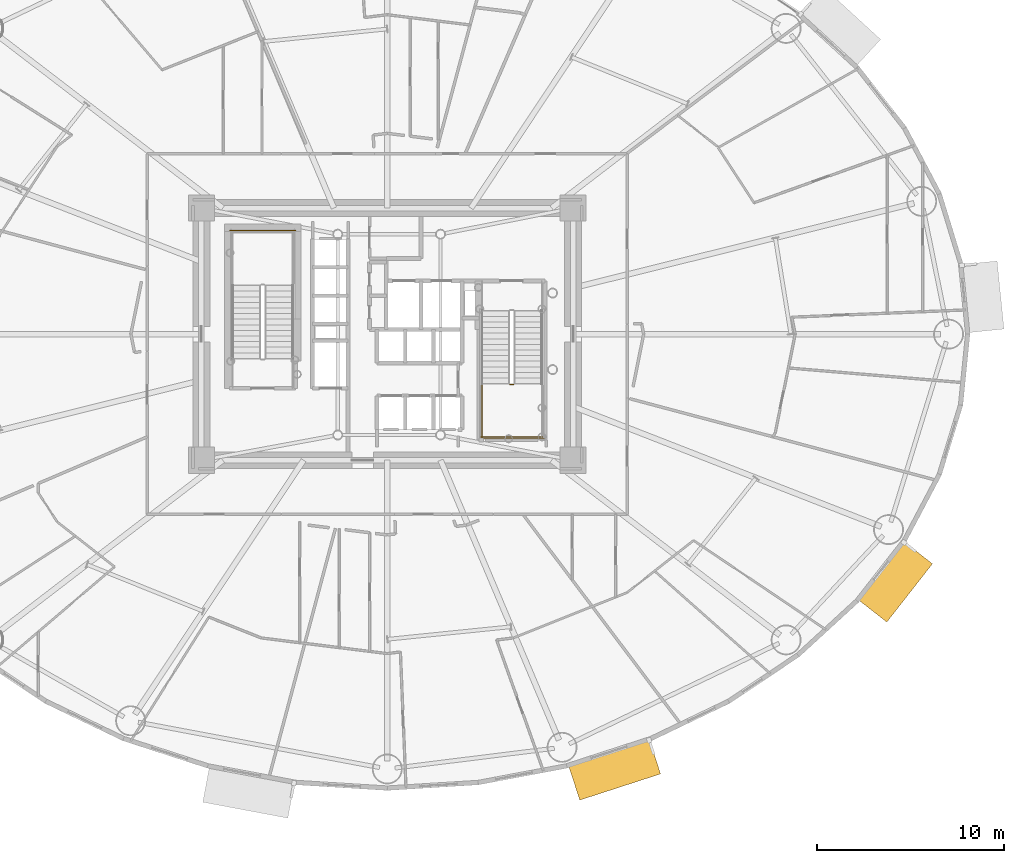
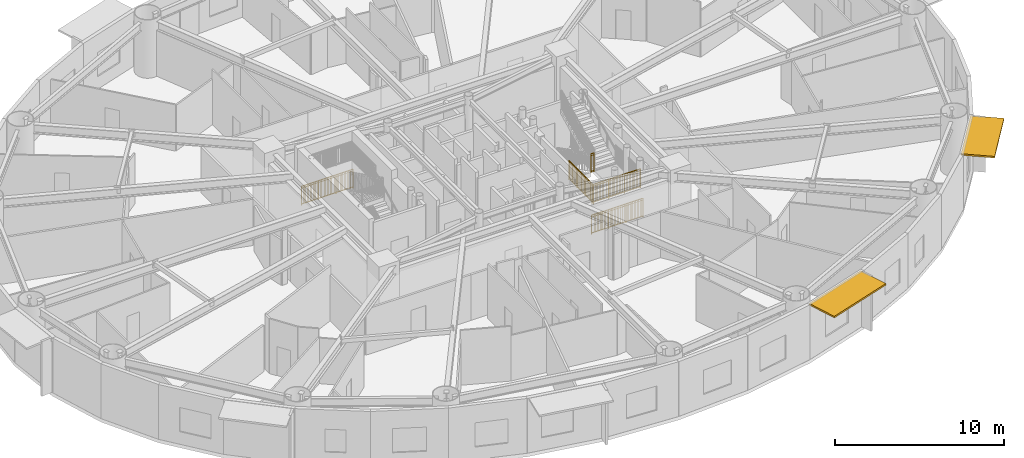
# One storey, part 21 of 24: 5 railings, 2 shading devices.
"""IFC4 building model written with IfcOpenShell, lengths in metres."""

from ifc_helpers import new_model, si_unit, direction, frame, origin, origin_2d, place, context, subcontext, project, spatial, rectangle, extrude, source, transform, mapped, material, layer, layer_set, type_object, element, save


model = new_model("IFC4")

# Units and contexts
model_context = context("Model", 3, precision=1e-05, world=origin(), true_north=direction((0.0, 1.0)))
body_context = subcontext(model_context, "Body", "Model", "MODEL_VIEW")
ifc_project = project(units=[si_unit("LENGTHUNIT", "METRE"), si_unit("AREAUNIT", "SQUARE_METRE"), si_unit("VOLUMEUNIT", "CUBIC_METRE"), si_unit("PLANEANGLEUNIT", "RADIAN"), si_unit("MASSUNIT", "GRAM", prefix="KILO")], contexts=[model_context])

# Site, building, storey
site_placement = place(None, origin())
site = spatial("IfcSite", under=ifc_project, at=site_placement, CompositionType="ELEMENT")
building_placement = place(site_placement, origin())
building = spatial("IfcBuilding", under=site, at=building_placement, Name="Linh Dai School and Residence Tower", CompositionType="ELEMENT")
storey_placement = place(building_placement, frame((0.0, 0.0, 74.39990234375)))
storey = spatial("IfcBuildingStorey", under=building, at=storey_placement, Name="L17", CompositionType="ELEMENT", Elevation=74.39990234375)

# Shading devices
ifc_material_1 = material(Name="Terracotta Ceramic Sunshade", Category="masonry")
ifc_layer = layer(ifc_material_1, 0.1201171875)
ifc_layer_set = layer_set([ifc_layer], Name="Terracotta Ceramic Sunshade")
shading_device_type = type_object("IfcShadingDeviceType", Name="SHD-TC-2000", PredefinedType="USERDEFINED", material=ifc_layer_set)
shared_shape_1 = source(origin(), body_context, "Body", "SweptSolid", [
    extrude(rectangle(XDim=4.54931640625, YDim=2.0, at=origin_2d()), origin(), (0.0, 0.0, 1.0), 0.1201171875),
])
shading_device_1_placement = place(storey_placement, frame((48.160400390625, 3.70458984375, 3.81005859375), z_axis=(0.0, 0.0, 1.0), x_axis=(-0.951220777043, -0.308510993844, 0.0)))
element("IfcShadingDevice", 1, at=shading_device_1_placement, inside=storey, type_object=shading_device_type, Name="L17 Terracotta Horizontal Sunshade Band 33", ObjectType="SUNSHADE", PredefinedType="USERDEFINED", context=body_context, shape_type="MappedRepresentation", body=[
    mapped(shared_shape_1, transform((0.0, 0.0, 0.0), x_axis=(1.0, 0.0, 0.0), y_axis=(0.0, 1.0, 0.0), z_axis=(0.0, 0.0, 1.0), scale=1.0)),
])
shared_shape_2 = source(origin(), body_context, "Body", "SweptSolid", [
    extrude(rectangle(XDim=3.964111328125, YDim=2.0, at=origin_2d()), origin(), (0.0, 0.0, 1.0), 0.1201171875),
])
shading_device_2_placement = place(storey_placement, frame((63.17822265625, 13.759521484375, 3.81005859375), z_axis=(0.0, 0.0, 1.0), x_axis=(-0.616319427785, -0.787496262172, 0.0)))
element("IfcShadingDevice", 2, at=shading_device_2_placement, inside=storey, type_object=shading_device_type, Name="L17 Terracotta Horizontal Sunshade Band 37", ObjectType="SUNSHADE", PredefinedType="USERDEFINED", context=body_context, shape_type="MappedRepresentation", body=[
    mapped(shared_shape_2, transform((0.0, 0.0, 0.0), x_axis=(1.0, 0.0, 0.0), y_axis=(0.0, 1.0, 0.0), z_axis=(0.0, 0.0, 1.0), scale=1.0)),
])

# Railings
ifc_material_2 = material(Name="Structural Steel S355JR", Category="steel")
railing_type = type_object("IfcRailingType", Name="RL-ST-GUARD-1400", PredefinedType="GUARDRAIL", material=ifc_material_2)
shared_shape_3 = source(origin(), body_context, "Body", "SweptSolid", [
    extrude(rectangle(XDim=0.048095703125, YDim=0.048095703125, at=origin_2d()), frame((0.0, 0.0, 1.3759765625), z_axis=(-1.0, 0.0, 0.0), x_axis=(0.0, -1.0, 0.0)), (0.0, 0.0, 1.0), 3.5),
    extrude(rectangle(XDim=0.048095703125, YDim=0.048095703125, at=origin_2d()), frame((0.0, 0.0, 0.10009765625), z_axis=(-1.0, 0.0, 0.0), x_axis=(0.0, -1.0, 0.0)), (0.0, 0.0, 1.0), 3.5),
    extrude(rectangle(XDim=0.030029296875, YDim=0.030029296875, at=origin_2d()), frame((0.0, 0.0, 1.239990234375), z_axis=(-1.0, 0.0, 0.0), x_axis=(0.0, -1.0, 0.0)), (0.0, 0.0, 1.0), 3.5),
    extrude(rectangle(XDim=0.02001953125, YDim=0.02001953125, at=origin_2d()), frame((-0.09716796875, 0.0, 0.10009765625)), (0.0, 0.0, 1.0), 1.251708984375),
    extrude(rectangle(XDim=0.02001953125, YDim=0.02001953125, at=origin_2d()), frame((-0.1943359375, 0.0, 0.10009765625)), (0.0, 0.0, 1.0), 1.251708984375),
    extrude(rectangle(XDim=0.02001953125, YDim=0.02001953125, at=origin_2d()), frame((-0.291748046875, 0.0, 0.10009765625)), (0.0, 0.0, 1.0), 1.251708984375),
    extrude(rectangle(XDim=0.02001953125, YDim=0.02001953125, at=origin_2d()), frame((-0.388916015625, 0.0, 0.10009765625)), (0.0, 0.0, 1.0), 1.251708984375),
    extrude(rectangle(XDim=0.02001953125, YDim=0.02001953125, at=origin_2d()), frame((-0.486083984375, 0.0, 0.10009765625)), (0.0, 0.0, 1.0), 1.251708984375),
    extrude(rectangle(XDim=0.02001953125, YDim=0.02001953125, at=origin_2d()), frame((-0.583251953125, 0.0, 0.10009765625)), (0.0, 0.0, 1.0), 1.251708984375),
    extrude(rectangle(XDim=0.02001953125, YDim=0.02001953125, at=origin_2d()), frame((-0.6806640625, 0.0, 0.10009765625)), (0.0, 0.0, 1.0), 1.251708984375),
    extrude(rectangle(XDim=0.02001953125, YDim=0.02001953125, at=origin_2d()), frame((-0.77783203125, 0.0, 0.10009765625)), (0.0, 0.0, 1.0), 1.251708984375),
    extrude(rectangle(XDim=0.02001953125, YDim=0.02001953125, at=origin_2d()), frame((-0.875, 0.0, 0.10009765625)), (0.0, 0.0, 1.0), 1.251708984375),
    extrude(rectangle(XDim=0.02001953125, YDim=0.02001953125, at=origin_2d()), frame((-0.97216796875, 0.0, 0.10009765625)), (0.0, 0.0, 1.0), 1.251708984375),
    extrude(rectangle(XDim=0.02001953125, YDim=0.02001953125, at=origin_2d()), frame((-1.0693359375, 0.0, 0.10009765625)), (0.0, 0.0, 1.0), 1.251708984375),
    extrude(rectangle(XDim=0.02001953125, YDim=0.02001953125, at=origin_2d()), frame((-1.263916015625, 0.0, 0.10009765625)), (0.0, 0.0, 1.0), 1.251708984375),
    extrude(rectangle(XDim=0.02001953125, YDim=0.02001953125, at=origin_2d()), frame((-1.361083984375, 0.0, 0.10009765625)), (0.0, 0.0, 1.0), 1.251708984375),
    extrude(rectangle(XDim=0.02001953125, YDim=0.02001953125, at=origin_2d()), frame((-1.458251953125, 0.0, 0.10009765625)), (0.0, 0.0, 1.0), 1.251708984375),
    extrude(rectangle(XDim=0.02001953125, YDim=0.02001953125, at=origin_2d()), frame((-1.5556640625, 0.0, 0.10009765625)), (0.0, 0.0, 1.0), 1.251708984375),
    extrude(rectangle(XDim=0.02001953125, YDim=0.02001953125, at=origin_2d()), frame((-1.65283203125, 0.0, 0.10009765625)), (0.0, 0.0, 1.0), 1.251708984375),
    extrude(rectangle(XDim=0.02001953125, YDim=0.02001953125, at=origin_2d()), frame((-1.75, 0.0, 0.10009765625)), (0.0, 0.0, 1.0), 1.251708984375),
    extrude(rectangle(XDim=0.02001953125, YDim=0.02001953125, at=origin_2d()), frame((-1.84716796875, 0.0, 0.10009765625)), (0.0, 0.0, 1.0), 1.251708984375),
    extrude(rectangle(XDim=0.02001953125, YDim=0.02001953125, at=origin_2d()), frame((-1.9443359375, 0.0, 0.10009765625)), (0.0, 0.0, 1.0), 1.251708984375),
    extrude(rectangle(XDim=0.02001953125, YDim=0.02001953125, at=origin_2d()), frame((-2.041748046875, 0.0, 0.10009765625)), (0.0, 0.0, 1.0), 1.251708984375),
    extrude(rectangle(XDim=0.02001953125, YDim=0.02001953125, at=origin_2d()), frame((-2.138916015625, 0.0, 0.10009765625)), (0.0, 0.0, 1.0), 1.251708984375),
    extrude(rectangle(XDim=0.02001953125, YDim=0.02001953125, at=origin_2d()), frame((-2.236083984375, 0.0, 0.10009765625)), (0.0, 0.0, 1.0), 1.251708984375),
    extrude(rectangle(XDim=0.02001953125, YDim=0.02001953125, at=origin_2d()), frame((-2.4306640625, 0.0, 0.10009765625)), (0.0, 0.0, 1.0), 1.251708984375),
    extrude(rectangle(XDim=0.02001953125, YDim=0.02001953125, at=origin_2d()), frame((-2.52783203125, 0.0, 0.10009765625)), (0.0, 0.0, 1.0), 1.251708984375),
    extrude(rectangle(XDim=0.02001953125, YDim=0.02001953125, at=origin_2d()), frame((-2.625, 0.0, 0.10009765625)), (0.0, 0.0, 1.0), 1.251708984375),
    extrude(rectangle(XDim=0.02001953125, YDim=0.02001953125, at=origin_2d()), frame((-2.72216796875, 0.0, 0.10009765625)), (0.0, 0.0, 1.0), 1.251708984375),
    extrude(rectangle(XDim=0.02001953125, YDim=0.02001953125, at=origin_2d()), frame((-2.8193359375, 0.0, 0.10009765625)), (0.0, 0.0, 1.0), 1.251708984375),
    extrude(rectangle(XDim=0.02001953125, YDim=0.02001953125, at=origin_2d()), frame((-2.916748046875, 0.0, 0.10009765625)), (0.0, 0.0, 1.0), 1.251708984375),
    extrude(rectangle(XDim=0.02001953125, YDim=0.02001953125, at=origin_2d()), frame((-3.013916015625, 0.0, 0.10009765625)), (0.0, 0.0, 1.0), 1.251708984375),
    extrude(rectangle(XDim=0.02001953125, YDim=0.02001953125, at=origin_2d()), frame((-3.111083984375, 0.0, 0.10009765625)), (0.0, 0.0, 1.0), 1.251708984375),
    extrude(rectangle(XDim=0.02001953125, YDim=0.02001953125, at=origin_2d()), frame((-3.208251953125, 0.0, 0.10009765625)), (0.0, 0.0, 1.0), 1.251708984375),
    extrude(rectangle(XDim=0.02001953125, YDim=0.02001953125, at=origin_2d()), frame((-3.3056640625, 0.0, 0.10009765625)), (0.0, 0.0, 1.0), 1.251708984375),
    extrude(rectangle(XDim=0.02001953125, YDim=0.02001953125, at=origin_2d()), frame((-3.40283203125, 0.0, 0.10009765625)), (0.0, 0.0, 1.0), 1.251708984375),
    extrude(rectangle(XDim=0.0419921875, YDim=0.0419921875, at=origin_2d()), origin(), (0.0, 0.0, 1.0), 1.3759765625),
    extrude(rectangle(XDim=0.0419921875, YDim=0.0419921875, at=origin_2d()), frame((-1.166748046875, 0.0, 0.0)), (0.0, 0.0, 1.0), 1.3759765625),
    extrude(rectangle(XDim=0.0419921875, YDim=0.0419921875, at=origin_2d()), frame((-2.333251953125, 0.0, 0.0)), (0.0, 0.0, 1.0), 1.3759765625),
    extrude(rectangle(XDim=0.0419921875, YDim=0.0419921875, at=origin_2d()), frame((-3.5, 0.0, 0.0)), (0.0, 0.0, 1.0), 1.3759765625),
])
railing_1_placement = place(storey_placement, frame((31.080078125, 32.550048828125, 0.0)))
element("IfcRailing", 3, at=railing_1_placement, inside=storey, type_object=railing_type, Name="L17 ST1 stair guard 12", PredefinedType="GUARDRAIL", context=body_context, shape_type="MappedRepresentation", body=[
    mapped(shared_shape_3, transform((0.0, 0.0, 0.0), x_axis=(1.0, 0.0, 0.0), y_axis=(0.0, 1.0, 0.0), z_axis=(0.0, 0.0, 1.0), scale=1.0)),
])
shared_shape_4 = source(origin(), body_context, "Body", "SweptSolid", [
    extrude(rectangle(XDim=0.048095703125, YDim=0.048095703125, at=origin_2d()), frame((0.0, 0.0, 1.3759765625), z_axis=(1.0, 0.0, 0.0), x_axis=(0.0, 1.0, 0.0)), (0.0, 0.0, 1.0), 0.199951171875),
    extrude(rectangle(XDim=0.048095703125, YDim=0.048095703125, at=origin_2d()), frame((0.0, 0.0, 0.10009765625), z_axis=(1.0, 0.0, 0.0), x_axis=(0.0, 1.0, 0.0)), (0.0, 0.0, 1.0), 0.199951171875),
    extrude(rectangle(XDim=0.030029296875, YDim=0.030029296875, at=origin_2d()), frame((0.0, 0.0, 1.239990234375), z_axis=(1.0, 0.0, 0.0), x_axis=(0.0, 1.0, 0.0)), (0.0, 0.0, 1.0), 0.199951171875),
    extrude(rectangle(XDim=0.0419921875, YDim=0.0419921875, at=origin_2d()), origin(), (0.0, 0.0, 1.0), 1.3759765625),
    extrude(rectangle(XDim=0.0419921875, YDim=0.0419921875, at=origin_2d()), frame((0.199951171875, 0.0, 0.0)), (0.0, 0.0, 1.0), 1.3759765625),
])
railing_2_placement = place(storey_placement, frame((42.570068359375, 24.300048828125, 2.10009765625)))
element("IfcRailing", 4, at=railing_2_placement, inside=storey, type_object=railing_type, Name="L17 ST2 stair guard 2", PredefinedType="GUARDRAIL", context=body_context, shape_type="MappedRepresentation", body=[
    mapped(shared_shape_4, transform((0.0, 0.0, 0.0), x_axis=(1.0, 0.0, 0.0), y_axis=(0.0, 1.0, 0.0), z_axis=(0.0, 0.0, 1.0), scale=1.0)),
])
shared_shape_5 = source(origin(), body_context, "Body", "SweptSolid", [
    extrude(rectangle(XDim=0.048095703125, YDim=0.048095703125, at=origin_2d()), frame((0.0, 0.0, 1.3759765625), z_axis=(1.0, 0.0, 0.0), x_axis=(0.0, 1.0, 0.0)), (0.0, 0.0, 1.0), 3.300048828125),
    extrude(rectangle(XDim=0.048095703125, YDim=0.048095703125, at=origin_2d()), frame((0.0, 0.0, 0.10009765625), z_axis=(1.0, 0.0, 0.0), x_axis=(0.0, 1.0, 0.0)), (0.0, 0.0, 1.0), 3.300048828125),
    extrude(rectangle(XDim=0.030029296875, YDim=0.030029296875, at=origin_2d()), frame((0.0, 0.0, 1.239990234375), z_axis=(1.0, 0.0, 0.0), x_axis=(0.0, 1.0, 0.0)), (0.0, 0.0, 1.0), 3.300048828125),
    extrude(rectangle(XDim=0.02001953125, YDim=0.02001953125, at=origin_2d()), frame((0.09716796875, 0.0, 0.10009765625)), (0.0, 0.0, 1.0), 1.251708984375),
    extrude(rectangle(XDim=0.02001953125, YDim=0.02001953125, at=origin_2d()), frame((0.194091796875, 0.0, 0.10009765625)), (0.0, 0.0, 1.0), 1.251708984375),
    extrude(rectangle(XDim=0.02001953125, YDim=0.02001953125, at=origin_2d()), frame((0.291259765625, 0.0, 0.10009765625)), (0.0, 0.0, 1.0), 1.251708984375),
    extrude(rectangle(XDim=0.02001953125, YDim=0.02001953125, at=origin_2d()), frame((0.38818359375, 0.0, 0.10009765625)), (0.0, 0.0, 1.0), 1.251708984375),
    extrude(rectangle(XDim=0.02001953125, YDim=0.02001953125, at=origin_2d()), frame((0.4853515625, 0.0, 0.10009765625)), (0.0, 0.0, 1.0), 1.251708984375),
    extrude(rectangle(XDim=0.02001953125, YDim=0.02001953125, at=origin_2d()), frame((0.582275390625, 0.0, 0.10009765625)), (0.0, 0.0, 1.0), 1.251708984375),
    extrude(rectangle(XDim=0.02001953125, YDim=0.02001953125, at=origin_2d()), frame((0.679443359375, 0.0, 0.10009765625)), (0.0, 0.0, 1.0), 1.251708984375),
    extrude(rectangle(XDim=0.02001953125, YDim=0.02001953125, at=origin_2d()), frame((0.7763671875, 0.0, 0.10009765625)), (0.0, 0.0, 1.0), 1.251708984375),
    extrude(rectangle(XDim=0.02001953125, YDim=0.02001953125, at=origin_2d()), frame((0.87353515625, 0.0, 0.10009765625)), (0.0, 0.0, 1.0), 1.251708984375),
    extrude(rectangle(XDim=0.02001953125, YDim=0.02001953125, at=origin_2d()), frame((0.970703125, 0.0, 0.10009765625)), (0.0, 0.0, 1.0), 1.251708984375),
    extrude(rectangle(XDim=0.02001953125, YDim=0.02001953125, at=origin_2d()), frame((1.164794921875, 0.0, 0.10009765625)), (0.0, 0.0, 1.0), 1.251708984375),
    extrude(rectangle(XDim=0.02001953125, YDim=0.02001953125, at=origin_2d()), frame((1.26171875, 0.0, 0.10009765625)), (0.0, 0.0, 1.0), 1.251708984375),
    extrude(rectangle(XDim=0.02001953125, YDim=0.02001953125, at=origin_2d()), frame((1.35888671875, 0.0, 0.10009765625)), (0.0, 0.0, 1.0), 1.251708984375),
    extrude(rectangle(XDim=0.02001953125, YDim=0.02001953125, at=origin_2d()), frame((1.455810546875, 0.0, 0.10009765625)), (0.0, 0.0, 1.0), 1.251708984375),
    extrude(rectangle(XDim=0.02001953125, YDim=0.02001953125, at=origin_2d()), frame((1.552978515625, 0.0, 0.10009765625)), (0.0, 0.0, 1.0), 1.251708984375),
    extrude(rectangle(XDim=0.02001953125, YDim=0.02001953125, at=origin_2d()), frame((1.64990234375, 0.0, 0.10009765625)), (0.0, 0.0, 1.0), 1.251708984375),
    extrude(rectangle(XDim=0.02001953125, YDim=0.02001953125, at=origin_2d()), frame((1.7470703125, 0.0, 0.10009765625)), (0.0, 0.0, 1.0), 1.251708984375),
    extrude(rectangle(XDim=0.02001953125, YDim=0.02001953125, at=origin_2d()), frame((1.84423828125, 0.0, 0.10009765625)), (0.0, 0.0, 1.0), 1.251708984375),
    extrude(rectangle(XDim=0.02001953125, YDim=0.02001953125, at=origin_2d()), frame((1.941162109375, 0.0, 0.10009765625)), (0.0, 0.0, 1.0), 1.251708984375),
    extrude(rectangle(XDim=0.02001953125, YDim=0.02001953125, at=origin_2d()), frame((2.038330078125, 0.0, 0.10009765625)), (0.0, 0.0, 1.0), 1.251708984375),
    extrude(rectangle(XDim=0.02001953125, YDim=0.02001953125, at=origin_2d()), frame((2.13525390625, 0.0, 0.10009765625)), (0.0, 0.0, 1.0), 1.251708984375),
    extrude(rectangle(XDim=0.02001953125, YDim=0.02001953125, at=origin_2d()), frame((2.329345703125, 0.0, 0.10009765625)), (0.0, 0.0, 1.0), 1.251708984375),
    extrude(rectangle(XDim=0.02001953125, YDim=0.02001953125, at=origin_2d()), frame((2.426513671875, 0.0, 0.10009765625)), (0.0, 0.0, 1.0), 1.251708984375),
    extrude(rectangle(XDim=0.02001953125, YDim=0.02001953125, at=origin_2d()), frame((2.523681640625, 0.0, 0.10009765625)), (0.0, 0.0, 1.0), 1.251708984375),
    extrude(rectangle(XDim=0.02001953125, YDim=0.02001953125, at=origin_2d()), frame((2.62060546875, 0.0, 0.10009765625)), (0.0, 0.0, 1.0), 1.251708984375),
    extrude(rectangle(XDim=0.02001953125, YDim=0.02001953125, at=origin_2d()), frame((2.7177734375, 0.0, 0.10009765625)), (0.0, 0.0, 1.0), 1.251708984375),
    extrude(rectangle(XDim=0.02001953125, YDim=0.02001953125, at=origin_2d()), frame((2.814697265625, 0.0, 0.10009765625)), (0.0, 0.0, 1.0), 1.251708984375),
    extrude(rectangle(XDim=0.02001953125, YDim=0.02001953125, at=origin_2d()), frame((2.911865234375, 0.0, 0.10009765625)), (0.0, 0.0, 1.0), 1.251708984375),
    extrude(rectangle(XDim=0.02001953125, YDim=0.02001953125, at=origin_2d()), frame((3.0087890625, 0.0, 0.10009765625)), (0.0, 0.0, 1.0), 1.251708984375),
    extrude(rectangle(XDim=0.02001953125, YDim=0.02001953125, at=origin_2d()), frame((3.10595703125, 0.0, 0.10009765625)), (0.0, 0.0, 1.0), 1.251708984375),
    extrude(rectangle(XDim=0.02001953125, YDim=0.02001953125, at=origin_2d()), frame((3.202880859375, 0.0, 0.10009765625)), (0.0, 0.0, 1.0), 1.251708984375),
    extrude(rectangle(XDim=0.0419921875, YDim=0.0419921875, at=origin_2d()), origin(), (0.0, 0.0, 1.0), 1.3759765625),
    extrude(rectangle(XDim=0.0419921875, YDim=0.0419921875, at=origin_2d()), frame((1.10009765625, 0.0, 0.0)), (0.0, 0.0, 1.0), 1.3759765625),
    extrude(rectangle(XDim=0.0419921875, YDim=0.0419921875, at=origin_2d()), frame((2.199951171875, 0.0, 0.0)), (0.0, 0.0, 1.0), 1.3759765625),
    extrude(rectangle(XDim=0.0419921875, YDim=0.0419921875, at=origin_2d()), frame((3.300048828125, 0.0, 0.0)), (0.0, 0.0, 1.0), 1.3759765625),
])
railing_3_placement = place(storey_placement, frame((41.02001953125, 21.5, 2.10009765625)))
element("IfcRailing", 5, at=railing_3_placement, inside=storey, type_object=railing_type, Name="L17 ST2 stair guard 5", PredefinedType="GUARDRAIL", context=body_context, shape_type="MappedRepresentation", body=[
    mapped(shared_shape_5, transform((0.0, 0.0, 0.0), x_axis=(1.0, 0.0, 0.0), y_axis=(0.0, 1.0, 0.0), z_axis=(0.0, 0.0, 1.0), scale=1.0)),
])
shared_shape_6 = source(origin(), body_context, "Body", "SweptSolid", [
    extrude(rectangle(XDim=0.048095703125, YDim=0.048095703125, at=origin_2d()), frame((0.0, 0.0, 1.3759765625), z_axis=(1.0, 0.0, 0.0), x_axis=(0.0, 1.0, 0.0)), (0.0, 0.0, 1.0), 3.5),
    extrude(rectangle(XDim=0.048095703125, YDim=0.048095703125, at=origin_2d()), frame((0.0, 0.0, 0.10009765625), z_axis=(1.0, 0.0, 0.0), x_axis=(0.0, 1.0, 0.0)), (0.0, 0.0, 1.0), 3.5),
    extrude(rectangle(XDim=0.030029296875, YDim=0.030029296875, at=origin_2d()), frame((0.0, 0.0, 1.239990234375), z_axis=(1.0, 0.0, 0.0), x_axis=(0.0, 1.0, 0.0)), (0.0, 0.0, 1.0), 3.5),
    extrude(rectangle(XDim=0.02001953125, YDim=0.02001953125, at=origin_2d()), frame((0.09716796875, 0.0, 0.10009765625)), (0.0, 0.0, 1.0), 1.251708984375),
    extrude(rectangle(XDim=0.02001953125, YDim=0.02001953125, at=origin_2d()), frame((0.1943359375, 0.0, 0.10009765625)), (0.0, 0.0, 1.0), 1.251708984375),
    extrude(rectangle(XDim=0.02001953125, YDim=0.02001953125, at=origin_2d()), frame((0.291748046875, 0.0, 0.10009765625)), (0.0, 0.0, 1.0), 1.251708984375),
    extrude(rectangle(XDim=0.02001953125, YDim=0.02001953125, at=origin_2d()), frame((0.388916015625, 0.0, 0.10009765625)), (0.0, 0.0, 1.0), 1.251708984375),
    extrude(rectangle(XDim=0.02001953125, YDim=0.02001953125, at=origin_2d()), frame((0.486083984375, 0.0, 0.10009765625)), (0.0, 0.0, 1.0), 1.251708984375),
    extrude(rectangle(XDim=0.02001953125, YDim=0.02001953125, at=origin_2d()), frame((0.583251953125, 0.0, 0.10009765625)), (0.0, 0.0, 1.0), 1.251708984375),
    extrude(rectangle(XDim=0.02001953125, YDim=0.02001953125, at=origin_2d()), frame((0.6806640625, 0.0, 0.10009765625)), (0.0, 0.0, 1.0), 1.251708984375),
    extrude(rectangle(XDim=0.02001953125, YDim=0.02001953125, at=origin_2d()), frame((0.77783203125, 0.0, 0.10009765625)), (0.0, 0.0, 1.0), 1.251708984375),
    extrude(rectangle(XDim=0.02001953125, YDim=0.02001953125, at=origin_2d()), frame((0.875, 0.0, 0.10009765625)), (0.0, 0.0, 1.0), 1.251708984375),
    extrude(rectangle(XDim=0.02001953125, YDim=0.02001953125, at=origin_2d()), frame((0.97216796875, 0.0, 0.10009765625)), (0.0, 0.0, 1.0), 1.251708984375),
    extrude(rectangle(XDim=0.02001953125, YDim=0.02001953125, at=origin_2d()), frame((1.0693359375, 0.0, 0.10009765625)), (0.0, 0.0, 1.0), 1.251708984375),
    extrude(rectangle(XDim=0.02001953125, YDim=0.02001953125, at=origin_2d()), frame((1.263916015625, 0.0, 0.10009765625)), (0.0, 0.0, 1.0), 1.251708984375),
    extrude(rectangle(XDim=0.02001953125, YDim=0.02001953125, at=origin_2d()), frame((1.361083984375, 0.0, 0.10009765625)), (0.0, 0.0, 1.0), 1.251708984375),
    extrude(rectangle(XDim=0.02001953125, YDim=0.02001953125, at=origin_2d()), frame((1.458251953125, 0.0, 0.10009765625)), (0.0, 0.0, 1.0), 1.251708984375),
    extrude(rectangle(XDim=0.02001953125, YDim=0.02001953125, at=origin_2d()), frame((1.5556640625, 0.0, 0.10009765625)), (0.0, 0.0, 1.0), 1.251708984375),
    extrude(rectangle(XDim=0.02001953125, YDim=0.02001953125, at=origin_2d()), frame((1.65283203125, 0.0, 0.10009765625)), (0.0, 0.0, 1.0), 1.251708984375),
    extrude(rectangle(XDim=0.02001953125, YDim=0.02001953125, at=origin_2d()), frame((1.75, 0.0, 0.10009765625)), (0.0, 0.0, 1.0), 1.251708984375),
    extrude(rectangle(XDim=0.02001953125, YDim=0.02001953125, at=origin_2d()), frame((1.84716796875, 0.0, 0.10009765625)), (0.0, 0.0, 1.0), 1.251708984375),
    extrude(rectangle(XDim=0.02001953125, YDim=0.02001953125, at=origin_2d()), frame((1.9443359375, 0.0, 0.10009765625)), (0.0, 0.0, 1.0), 1.251708984375),
    extrude(rectangle(XDim=0.02001953125, YDim=0.02001953125, at=origin_2d()), frame((2.041748046875, 0.0, 0.10009765625)), (0.0, 0.0, 1.0), 1.251708984375),
    extrude(rectangle(XDim=0.02001953125, YDim=0.02001953125, at=origin_2d()), frame((2.138916015625, 0.0, 0.10009765625)), (0.0, 0.0, 1.0), 1.251708984375),
    extrude(rectangle(XDim=0.02001953125, YDim=0.02001953125, at=origin_2d()), frame((2.236083984375, 0.0, 0.10009765625)), (0.0, 0.0, 1.0), 1.251708984375),
    extrude(rectangle(XDim=0.02001953125, YDim=0.02001953125, at=origin_2d()), frame((2.4306640625, 0.0, 0.10009765625)), (0.0, 0.0, 1.0), 1.251708984375),
    extrude(rectangle(XDim=0.02001953125, YDim=0.02001953125, at=origin_2d()), frame((2.52783203125, 0.0, 0.10009765625)), (0.0, 0.0, 1.0), 1.251708984375),
    extrude(rectangle(XDim=0.02001953125, YDim=0.02001953125, at=origin_2d()), frame((2.625, 0.0, 0.10009765625)), (0.0, 0.0, 1.0), 1.251708984375),
    extrude(rectangle(XDim=0.02001953125, YDim=0.02001953125, at=origin_2d()), frame((2.72216796875, 0.0, 0.10009765625)), (0.0, 0.0, 1.0), 1.251708984375),
    extrude(rectangle(XDim=0.02001953125, YDim=0.02001953125, at=origin_2d()), frame((2.8193359375, 0.0, 0.10009765625)), (0.0, 0.0, 1.0), 1.251708984375),
    extrude(rectangle(XDim=0.02001953125, YDim=0.02001953125, at=origin_2d()), frame((2.916748046875, 0.0, 0.10009765625)), (0.0, 0.0, 1.0), 1.251708984375),
    extrude(rectangle(XDim=0.02001953125, YDim=0.02001953125, at=origin_2d()), frame((3.013916015625, 0.0, 0.10009765625)), (0.0, 0.0, 1.0), 1.251708984375),
    extrude(rectangle(XDim=0.02001953125, YDim=0.02001953125, at=origin_2d()), frame((3.111083984375, 0.0, 0.10009765625)), (0.0, 0.0, 1.0), 1.251708984375),
    extrude(rectangle(XDim=0.02001953125, YDim=0.02001953125, at=origin_2d()), frame((3.208251953125, 0.0, 0.10009765625)), (0.0, 0.0, 1.0), 1.251708984375),
    extrude(rectangle(XDim=0.02001953125, YDim=0.02001953125, at=origin_2d()), frame((3.3056640625, 0.0, 0.10009765625)), (0.0, 0.0, 1.0), 1.251708984375),
    extrude(rectangle(XDim=0.02001953125, YDim=0.02001953125, at=origin_2d()), frame((3.40283203125, 0.0, 0.10009765625)), (0.0, 0.0, 1.0), 1.251708984375),
    extrude(rectangle(XDim=0.0419921875, YDim=0.0419921875, at=origin_2d()), origin(), (0.0, 0.0, 1.0), 1.3759765625),
    extrude(rectangle(XDim=0.0419921875, YDim=0.0419921875, at=origin_2d()), frame((1.166748046875, 0.0, 0.0)), (0.0, 0.0, 1.0), 1.3759765625),
    extrude(rectangle(XDim=0.0419921875, YDim=0.0419921875, at=origin_2d()), frame((2.333251953125, 0.0, 0.0)), (0.0, 0.0, 1.0), 1.3759765625),
    extrude(rectangle(XDim=0.0419921875, YDim=0.0419921875, at=origin_2d()), frame((3.5, 0.0, 0.0)), (0.0, 0.0, 1.0), 1.3759765625),
])
railing_4_placement = place(storey_placement, frame((40.919921875, 21.39990234375, 0.0)))
element("IfcRailing", 6, at=railing_4_placement, inside=storey, type_object=railing_type, Name="L17 ST2 stair guard 12", PredefinedType="GUARDRAIL", context=body_context, shape_type="MappedRepresentation", body=[
    mapped(shared_shape_6, transform((0.0, 0.0, 0.0), x_axis=(1.0, 0.0, 0.0), y_axis=(0.0, 1.0, 0.0), z_axis=(0.0, 0.0, 1.0), scale=1.0)),
])
shared_shape_7 = source(origin(), body_context, "Body", "SweptSolid", [
    extrude(rectangle(XDim=0.048095703125, YDim=0.048095703125, at=origin_2d()), frame((0.0, 0.0, 1.3759765625), z_axis=(0.0, -1.0, 0.0), x_axis=(1.0, 0.0, 0.0)), (0.0, 0.0, 1.0), 2.900146484375),
    extrude(rectangle(XDim=0.048095703125, YDim=0.048095703125, at=origin_2d()), frame((0.0, 0.0, 0.10009765625), z_axis=(0.0, -1.0, 0.0), x_axis=(1.0, 0.0, 0.0)), (0.0, 0.0, 1.0), 2.900146484375),
    extrude(rectangle(XDim=0.030029296875, YDim=0.030029296875, at=origin_2d()), frame((0.0, 0.0, 1.239990234375), z_axis=(0.0, -1.0, 0.0), x_axis=(1.0, 0.0, 0.0)), (0.0, 0.0, 1.0), 2.900146484375),
    extrude(rectangle(XDim=0.02001953125, YDim=0.02001953125, at=origin_2d()), frame((0.0, -0.0966796875, 0.10009765625)), (0.0, 0.0, 1.0), 1.251708984375),
    extrude(rectangle(XDim=0.02001953125, YDim=0.02001953125, at=origin_2d()), frame((0.0, -0.193359375, 0.10009765625)), (0.0, 0.0, 1.0), 1.251708984375),
    extrude(rectangle(XDim=0.02001953125, YDim=0.02001953125, at=origin_2d()), frame((0.0, -0.2900390625, 0.10009765625)), (0.0, 0.0, 1.0), 1.251708984375),
    extrude(rectangle(XDim=0.02001953125, YDim=0.02001953125, at=origin_2d()), frame((0.0, -0.38671875, 0.10009765625)), (0.0, 0.0, 1.0), 1.251708984375),
    extrude(rectangle(XDim=0.02001953125, YDim=0.02001953125, at=origin_2d()), frame((0.0, -0.4833984375, 0.10009765625)), (0.0, 0.0, 1.0), 1.251708984375),
    extrude(rectangle(XDim=0.02001953125, YDim=0.02001953125, at=origin_2d()), frame((0.0, -0.580078125, 0.10009765625)), (0.0, 0.0, 1.0), 1.251708984375),
    extrude(rectangle(XDim=0.02001953125, YDim=0.02001953125, at=origin_2d()), frame((0.0, -0.6767578125, 0.10009765625)), (0.0, 0.0, 1.0), 1.251708984375),
    extrude(rectangle(XDim=0.02001953125, YDim=0.02001953125, at=origin_2d()), frame((0.0, -0.7734375, 0.10009765625)), (0.0, 0.0, 1.0), 1.251708984375),
    extrude(rectangle(XDim=0.02001953125, YDim=0.02001953125, at=origin_2d()), frame((0.0, -0.8701171875, 0.10009765625)), (0.0, 0.0, 1.0), 1.251708984375),
    extrude(rectangle(XDim=0.02001953125, YDim=0.02001953125, at=origin_2d()), frame((0.0, -1.0634765625, 0.10009765625)), (0.0, 0.0, 1.0), 1.251708984375),
    extrude(rectangle(XDim=0.02001953125, YDim=0.02001953125, at=origin_2d()), frame((0.0, -1.16015625, 0.10009765625)), (0.0, 0.0, 1.0), 1.251708984375),
    extrude(rectangle(XDim=0.02001953125, YDim=0.02001953125, at=origin_2d()), frame((0.0, -1.2568359375, 0.10009765625)), (0.0, 0.0, 1.0), 1.251708984375),
    extrude(rectangle(XDim=0.02001953125, YDim=0.02001953125, at=origin_2d()), frame((0.0, -1.353515625, 0.10009765625)), (0.0, 0.0, 1.0), 1.251708984375),
    extrude(rectangle(XDim=0.02001953125, YDim=0.02001953125, at=origin_2d()), frame((0.0, -1.4501953125, 0.10009765625)), (0.0, 0.0, 1.0), 1.251708984375),
    extrude(rectangle(XDim=0.02001953125, YDim=0.02001953125, at=origin_2d()), frame((0.0, -1.546630859375, 0.10009765625)), (0.0, 0.0, 1.0), 1.251708984375),
    extrude(rectangle(XDim=0.02001953125, YDim=0.02001953125, at=origin_2d()), frame((0.0, -1.643310546875, 0.10009765625)), (0.0, 0.0, 1.0), 1.251708984375),
    extrude(rectangle(XDim=0.02001953125, YDim=0.02001953125, at=origin_2d()), frame((0.0, -1.739990234375, 0.10009765625)), (0.0, 0.0, 1.0), 1.251708984375),
    extrude(rectangle(XDim=0.02001953125, YDim=0.02001953125, at=origin_2d()), frame((0.0, -1.836669921875, 0.10009765625)), (0.0, 0.0, 1.0), 1.251708984375),
    extrude(rectangle(XDim=0.02001953125, YDim=0.02001953125, at=origin_2d()), frame((0.0, -2.030029296875, 0.10009765625)), (0.0, 0.0, 1.0), 1.251708984375),
    extrude(rectangle(XDim=0.02001953125, YDim=0.02001953125, at=origin_2d()), frame((0.0, -2.126708984375, 0.10009765625)), (0.0, 0.0, 1.0), 1.251708984375),
    extrude(rectangle(XDim=0.02001953125, YDim=0.02001953125, at=origin_2d()), frame((0.0, -2.223388671875, 0.10009765625)), (0.0, 0.0, 1.0), 1.251708984375),
    extrude(rectangle(XDim=0.02001953125, YDim=0.02001953125, at=origin_2d()), frame((0.0, -2.320068359375, 0.10009765625)), (0.0, 0.0, 1.0), 1.251708984375),
    extrude(rectangle(XDim=0.02001953125, YDim=0.02001953125, at=origin_2d()), frame((0.0, -2.416748046875, 0.10009765625)), (0.0, 0.0, 1.0), 1.251708984375),
    extrude(rectangle(XDim=0.02001953125, YDim=0.02001953125, at=origin_2d()), frame((0.0, -2.513427734375, 0.10009765625)), (0.0, 0.0, 1.0), 1.251708984375),
    extrude(rectangle(XDim=0.02001953125, YDim=0.02001953125, at=origin_2d()), frame((0.0, -2.610107421875, 0.10009765625)), (0.0, 0.0, 1.0), 1.251708984375),
    extrude(rectangle(XDim=0.02001953125, YDim=0.02001953125, at=origin_2d()), frame((0.0, -2.706787109375, 0.10009765625)), (0.0, 0.0, 1.0), 1.251708984375),
    extrude(rectangle(XDim=0.02001953125, YDim=0.02001953125, at=origin_2d()), frame((0.0, -2.803466796875, 0.10009765625)), (0.0, 0.0, 1.0), 1.251708984375),
    extrude(rectangle(XDim=0.0419921875, YDim=0.0419921875, at=origin_2d()), origin(), (0.0, 0.0, 1.0), 1.3759765625),
    extrude(rectangle(XDim=0.0419921875, YDim=0.0419921875, at=origin_2d()), frame((0.0, -0.966796875, 0.0)), (0.0, 0.0, 1.0), 1.3759765625),
    extrude(rectangle(XDim=0.0419921875, YDim=0.0419921875, at=origin_2d()), frame((0.0, -1.933349609375, 0.0)), (0.0, 0.0, 1.0), 1.3759765625),
    extrude(rectangle(XDim=0.0419921875, YDim=0.0419921875, at=origin_2d()), frame((0.0, -2.900146484375, 0.0)), (0.0, 0.0, 1.0), 1.3759765625),
])
railing_5_placement = place(storey_placement, frame((41.070068359375, 24.35009765625, 2.10009765625)))
element("IfcRailing", 7, at=railing_5_placement, inside=storey, type_object=railing_type, Name="L17 ST2 stair guard 3", PredefinedType="GUARDRAIL", context=body_context, shape_type="MappedRepresentation", body=[
    mapped(shared_shape_7, transform((0.0, 0.0, 0.0), x_axis=(1.0, 0.0, 0.0), y_axis=(0.0, 1.0, 0.0), z_axis=(0.0, 0.0, 1.0), scale=1.0)),
])

save(model, "model.ifc")
